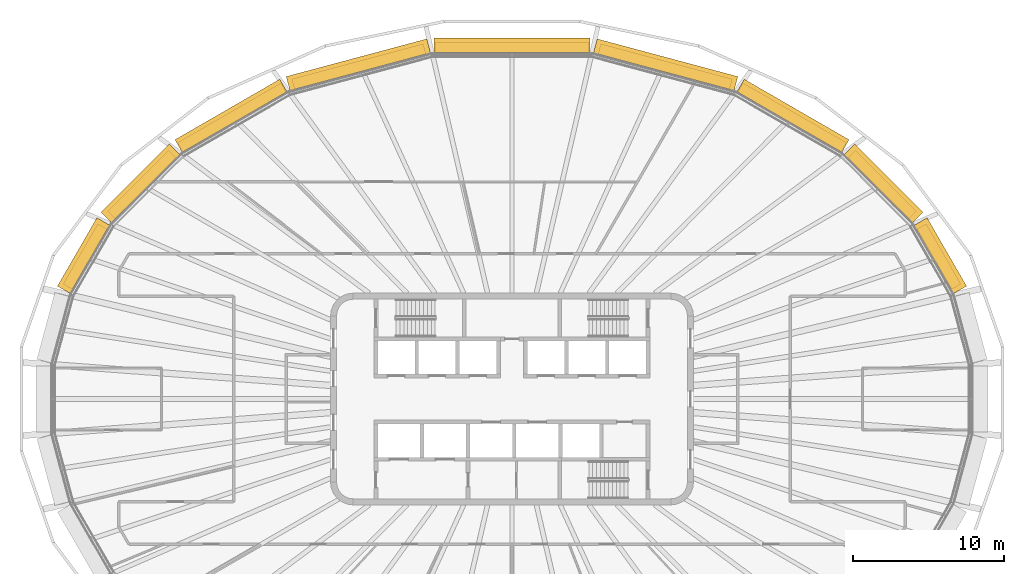
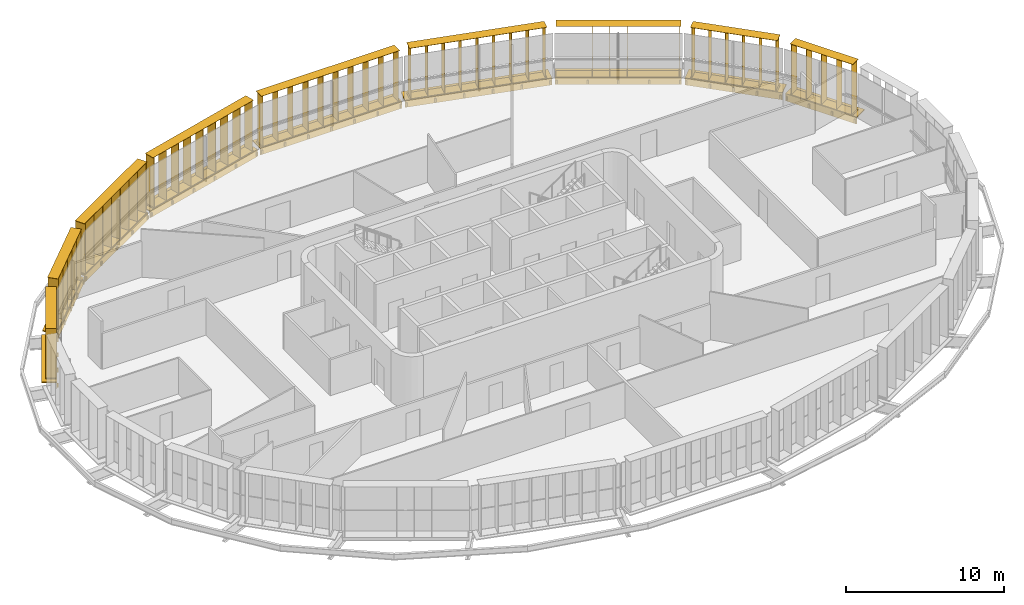
# One storey, part 19 of 19: 18 shading devices.
"""IFC4 building model written with IfcOpenShell, lengths in metres."""

import ifcopenshell
import ifcopenshell.guid

model = None  # the IFC model being written
_history = None  # IfcOwnerHistory: only IFC2X3 demands one
_inside = {}  # id of a spatial element -> (the spatial element, [elements in it])
_under = {}  # id of a project, library or spatial element -> (it, [spatial elements below it])
_declared = {}  # id of a project -> (the project, [libraries it declares])
_typed = {}  # id of a type object -> (the type object, [elements of that type])
_made_of = {}  # id of a material, layer set ... -> (it, [elements and type objects made of it])


def new_model(schema):
    """Start an empty IFC model of exactly this schema.

    Asked for "IFC4X3", IfcOpenShell would pick the latest addendum, in which some entities
    have other attributes; the version numbers below select the first issue.
    IFC2X3 requires an IfcOwnerHistory on every rooted entity: one is made here for all.
    """
    global model, _history
    if schema == "IFC4X3":
        model = ifcopenshell.file(schema_version=(4, 3, 0, 0))
    else:
        model = ifcopenshell.file(schema=schema)
    _inside.clear()
    _under.clear()
    _declared.clear()
    _typed.clear()
    _made_of.clear()
    _history = None
    if model.schema == "IFC2X3":
        org = make("IfcOrganization", Name="unknown")
        user = make(
            "IfcPersonAndOrganization",
            ThePerson=make("IfcPerson", FamilyName="unknown"),
            TheOrganization=org,
        )
        app = make(
            "IfcApplication",
            ApplicationDeveloper=org,
            Version="unknown",
            ApplicationFullName="unknown",
            ApplicationIdentifier="unknown",
        )
        _history = make(
            "IfcOwnerHistory",
            OwningUser=user,
            OwningApplication=app,
            ChangeAction="ADDED",
            CreationDate=0,
        )
    return model


def make(cls, **values):
    """One entity of the class cls with the attributes given. An attribute that is None is left unset."""
    return model.create_entity(
        cls, **{name: value for name, value in values.items() if value is not None}
    )


def rooted(cls, **values):
    """An entity with a GlobalId (a new one), such as an element, a storey or a relation."""
    return make(cls, GlobalId=ifcopenshell.guid.new(), OwnerHistory=_history, **values)


def si_unit(unit_type, name, prefix=None):
    """IfcSIUnit, for example si_unit("LENGTHUNIT", "METRE", prefix="MILLI")."""
    return make("IfcSIUnit", UnitType=unit_type, Prefix=prefix, Name=name)


def assignment(units):
    """IfcUnitAssignment: the units of a project."""
    return None if units is None else make("IfcUnitAssignment", Units=units)


def point(xyz):
    """IfcCartesianPoint."""
    return None if xyz is None else make("IfcCartesianPoint", Coordinates=xyz)


def direction(xyz):
    """IfcDirection."""
    return None if xyz is None else make("IfcDirection", DirectionRatios=xyz)


def frame(location, z_axis=None, x_axis=None):
    """IfcAxis2Placement3D, a coordinate frame: its origin and axes. An axis left out is left unset."""
    return make(
        "IfcAxis2Placement3D",
        Location=point(location),
        Axis=direction(z_axis),
        RefDirection=direction(x_axis),
    )


def frame_2d(location, x_axis=None):
    """IfcAxis2Placement2D, a coordinate frame in the plane: its origin and x axis."""
    return make(
        "IfcAxis2Placement2D", Location=point(location), RefDirection=direction(x_axis)
    )


def origin():
    """The frame at (0, 0, 0) with its axes left unset."""
    return frame((0.0, 0.0, 0.0))


def origin_2d():
    """The frame at (0, 0) in the plane with its x axis left unset."""
    return frame_2d((0.0, 0.0))


def place(relative_to, where):
    """IfcLocalPlacement: puts the frame where relative to a parent placement (None: the world)."""
    return make(
        "IfcLocalPlacement", PlacementRelTo=relative_to, RelativePlacement=where
    )


def context(
    kind, dimensions, precision=None, world=None, true_north=None, identifier=None
):
    """IfcGeometricRepresentationContext, for example the 3D "Model" context."""
    return make(
        "IfcGeometricRepresentationContext",
        ContextIdentifier=identifier,
        ContextType=kind,
        CoordinateSpaceDimension=dimensions,
        Precision=precision,
        WorldCoordinateSystem=world,
        TrueNorth=true_north,
    )


def subcontext(parent, identifier, kind, view, scale=None):
    """IfcGeometricRepresentationSubContext, for example "Body" below "Model"."""
    return make(
        "IfcGeometricRepresentationSubContext",
        ContextIdentifier=identifier,
        ContextType=kind,
        ParentContext=parent,
        TargetScale=scale,
        TargetView=view,
    )


def project(units=None, contexts=None):
    """IfcProject with its units and contexts."""
    return rooted(
        "IfcProject",
        Name="project",
        RepresentationContexts=contexts,
        UnitsInContext=assignment(units),
    )


def spatial(cls, under=None, at=None, **own):
    """A site, building, storey or space (cls), placed at a placement, below another one or the project."""
    s = rooted(cls, ObjectPlacement=at, **own)
    if under is not None:
        _under.setdefault(under.id(), (under, []))[1].append(s)
    return s


def profile(cls, at=None, kind="AREA", **sizes):
    """A parametric profile (cls). Its sizes go by their IFC names, for example OverallWidth=200.0."""
    return make(cls, ProfileType=kind, Position=at, **sizes)


def rectangle(**sizes):
    """IfcRectangleProfileDef."""
    return profile("IfcRectangleProfileDef", **sizes)


def extrude(swept, where, along, depth):
    """IfcExtrudedAreaSolid: the profile swept, set in the frame where, extruded along a direction by depth."""
    return make(
        "IfcExtrudedAreaSolid",
        SweptArea=swept,
        Position=where,
        ExtrudedDirection=direction(along),
        Depth=depth,
    )


def shape(context_of_items, identifier, shape_type, items):
    """IfcShapeRepresentation: the items that make up one representation, for example the "Body"."""
    return make(
        "IfcShapeRepresentation",
        ContextOfItems=context_of_items,
        RepresentationIdentifier=identifier,
        RepresentationType=shape_type,
        Items=items,
    )


def material(Name=None, Category=None):
    """IfcMaterial."""
    return make("IfcMaterial", Name=Name, Category=Category)


def made_of(thing, what):
    """Note that an element or type object is made of a material, layer set ...; save() writes the relation."""
    if what is not None:
        _made_of.setdefault(what.id(), (what, []))[1].append(thing)
    return thing


def type_object(cls, material=None, **own):
    """A type object (cls), such as IfcWallType, which elements share."""
    return made_of(rooted(cls, **own), material)


def element(
    cls,
    number,
    at=None,
    inside=None,
    cuts=None,
    type_object=None,
    material=None,
    context=None,
    identifier="Body",
    shape_type=None,
    held_by="IfcProductDefinitionShape",
    body=None,
    shapes=None,
    **own,
):
    """One element of the class cls, such as IfcWall. Its Tag is "e" and its number.

    at: its placement. inside: the storey or other place that contains it. cuts: it is an
    opening in that element (IfcRelVoidsElement). A single representation is given by context,
    identifier, shape_type and body (its items); several are given by shapes. held_by: the class
    of the entity that holds the representations. save() writes the other relations.
    """
    e = rooted(cls, Tag="e%d" % number, ObjectPlacement=at, **own)
    if body is not None:
        shapes = [shape(context, identifier, shape_type, body)]
    if shapes is not None:
        e.Representation = make(held_by, Representations=shapes)
    if inside is not None:
        _inside.setdefault(inside.id(), (inside, []))[1].append(e)
    if cuts is not None:
        rooted(
            "IfcRelVoidsElement", RelatingBuildingElement=cuts, RelatedOpeningElement=e
        )
    if type_object is not None:
        _typed.setdefault(type_object.id(), (type_object, []))[1].append(e)
    return made_of(e, material)


def aggregate(whole, parts):
    """IfcRelAggregates: a whole, such as a stair, and the parts it consists of."""
    return rooted("IfcRelAggregates", RelatingObject=whole, RelatedObjects=parts)


def save(model, path):
    """Write the relations noted so far, then the file.

    IfcRelAggregates (storeys below a building ...), IfcRelContainedInSpatialStructure (elements
    in a storey), IfcRelDefinesByType, IfcRelAssociatesMaterial and IfcRelDeclares: one each for
    every whole, place, type object, material and project.
    """
    for whole, parts in _under.values():
        aggregate(whole, parts)
    for where, things in _inside.values():
        rooted(
            "IfcRelContainedInSpatialStructure",
            RelatedElements=things,
            RelatingStructure=where,
        )
    for kind, things in _typed.values():
        rooted("IfcRelDefinesByType", RelatedObjects=things, RelatingType=kind)
    for what, things in _made_of.values():
        rooted("IfcRelAssociatesMaterial", RelatedObjects=things, RelatingMaterial=what)
    for by, libraries in _declared.values():
        rooted("IfcRelDeclares", RelatingContext=by, RelatedDefinitions=libraries)
    model.write(path)


model = new_model("IFC4")

# Units and contexts
model_context = context("Model", 3, precision=1e-05, world=origin(), true_north=direction((0.0, 1.0)))
body_context = subcontext(model_context, "Body", "Model", "MODEL_VIEW")
ifc_project = project(units=[si_unit("LENGTHUNIT", "METRE"), si_unit("AREAUNIT", "SQUARE_METRE"), si_unit("VOLUMEUNIT", "CUBIC_METRE"), si_unit("PLANEANGLEUNIT", "RADIAN"), si_unit("MASSUNIT", "GRAM", prefix="KILO")], contexts=[model_context])

# Site, building, storey
site_placement = place(None, origin())
site = spatial("IfcSite", under=ifc_project, at=site_placement, CompositionType="ELEMENT")
building_placement = place(site_placement, origin())
building = spatial("IfcBuilding", under=site, at=building_placement, Name="Sahrelin Media Tower", CompositionType="ELEMENT")
storey_placement = place(building_placement, frame((0.0, 0.0, 241.60009765625)))
storey = spatial("IfcBuildingStorey", under=building, at=storey_placement, Name="L52", CompositionType="ELEMENT", Elevation=241.60009765625)

# Shading devices
ifc_material = material(Name="Champagne anodised aluminium 6063-T6", Category="aluminium")
shading_device_type_1 = type_object("IfcShadingDeviceType", Name="Fin cassette", PredefinedType="USERDEFINED", material=ifc_material)
placement_1 = place(storey_placement, frame((27.865234375, 9.214111328125, 0.0), z_axis=(0.0, 0.0, 1.0), x_axis=(0.500011000363, -0.866019052629, 0.0)))
element("IfcShadingDevice", 1, at=placement_1, inside=storey, type_object=shading_device_type_1, Name="L52:FIN:L52-02", ObjectType="FIN", PredefinedType="USERDEFINED", context=body_context, shape_type="SweptSolid", body=[
    extrude(rectangle(XDim=4.60009765625, YDim=0.699951171875, at=origin_2d()), frame((0.0, 0.419921875, 0.0)), (0.0, 0.0, 1.0), 0.02001953125),
    extrude(rectangle(XDim=4.60009765625, YDim=0.699951171875, at=origin_2d()), frame((0.0, 0.419921875, 3.89990234375)), (0.0, 0.0, 1.0), 0.02001953125),
    extrude(rectangle(XDim=0.02001953125, YDim=0.699951171875, at=origin_2d()), frame((-2.199951171875, 0.419921875, 0.010009765625), z_axis=(0.0, 0.0, 1.0), x_axis=(1.0, 0.0, 0.0)), (0.0, 0.0, 1.0), 3.89990234375),
    extrude(rectangle(XDim=0.02001953125, YDim=0.699951171875, at=origin_2d()), frame((-1.10009765625, 0.419921875, 0.010009765625), z_axis=(0.0, 0.0, 1.0), x_axis=(1.0, 0.0, 0.0)), (0.0, 0.0, 1.0), 3.89990234375),
    extrude(rectangle(XDim=0.02001953125, YDim=0.699951171875, at=origin_2d()), frame((0.0, 0.419921875, 0.010009765625), z_axis=(0.0, 0.0, 1.0), x_axis=(1.0, 0.0, 0.0)), (0.0, 0.0, 1.0), 3.89990234375),
    extrude(rectangle(XDim=0.02001953125, YDim=0.699951171875, at=origin_2d()), frame((1.10009765625, 0.419921875, 0.010009765625), z_axis=(0.0, 0.0, 1.0), x_axis=(1.0, 0.0, 0.0)), (0.0, 0.0, 1.0), 3.89990234375),
    extrude(rectangle(XDim=0.02001953125, YDim=0.699951171875, at=origin_2d()), frame((2.199951171875, 0.419921875, 0.010009765625), z_axis=(0.0, 0.0, 1.0), x_axis=(1.0, 0.0, 0.0)), (0.0, 0.0, 1.0), 3.89990234375),
])
placement_2 = place(storey_placement, frame((24.1865234375, 13.883544921875, 0.0), z_axis=(0.0, 0.0, 1.0), x_axis=(0.707106781187, -0.707106781187, 0.0)))
element("IfcShadingDevice", 2, at=placement_2, inside=storey, type_object=shading_device_type_1, Name="L52:FIN:L52-03", ObjectType="FIN", PredefinedType="USERDEFINED", context=body_context, shape_type="SweptSolid", body=[
    extrude(rectangle(XDim=5.699951171875, YDim=0.699951171875, at=origin_2d()), frame((0.0, 0.419921875, 0.0)), (0.0, 0.0, 1.0), 0.02001953125),
    extrude(rectangle(XDim=5.699951171875, YDim=0.699951171875, at=origin_2d()), frame((0.0, 0.419921875, 3.89990234375)), (0.0, 0.0, 1.0), 0.02001953125),
    extrude(rectangle(XDim=0.02001953125, YDim=0.699951171875, at=origin_2d()), frame((-2.75, 0.419921875, 0.010009765625), z_axis=(0.0, 0.0, 1.0), x_axis=(1.0, 0.0, 0.0)), (0.0, 0.0, 1.0), 3.89990234375),
    extrude(rectangle(XDim=0.02001953125, YDim=0.699951171875, at=origin_2d()), frame((-1.64990234375, 0.419921875, 0.010009765625), z_axis=(0.0, 0.0, 1.0), x_axis=(1.0, 0.0, 0.0)), (0.0, 0.0, 1.0), 3.89990234375),
    extrude(rectangle(XDim=0.02001953125, YDim=0.699951171875, at=origin_2d()), frame((-0.550048828125, 0.419921875, 0.010009765625), z_axis=(0.0, 0.0, 1.0), x_axis=(1.0, 0.0, 0.0)), (0.0, 0.0, 1.0), 3.89990234375),
    extrude(rectangle(XDim=0.02001953125, YDim=0.699951171875, at=origin_2d()), frame((0.550048828125, 0.419921875, 0.010009765625), z_axis=(0.0, 0.0, 1.0), x_axis=(1.0, 0.0, 0.0)), (0.0, 0.0, 1.0), 3.89990234375),
    extrude(rectangle(XDim=0.02001953125, YDim=0.699951171875, at=origin_2d()), frame((1.64990234375, 0.419921875, 0.010009765625), z_axis=(0.0, 0.0, 1.0), x_axis=(1.0, 0.0, 0.0)), (0.0, 0.0, 1.0), 3.89990234375),
    extrude(rectangle(XDim=0.02001953125, YDim=0.699951171875, at=origin_2d()), frame((2.75, 0.419921875, 0.010009765625), z_axis=(0.0, 0.0, 1.0), x_axis=(1.0, 0.0, 0.0)), (0.0, 0.0, 1.0), 3.89990234375),
])
placement_3 = place(storey_placement, frame((18.3115234375, 18.25830078125, 0.0), z_axis=(0.0, 0.0, 1.0), x_axis=(0.866019052629, -0.500011000363, 0.0)))
element("IfcShadingDevice", 3, at=placement_3, inside=storey, type_object=shading_device_type_1, Name="L52:FIN:L52-04", ObjectType="FIN", PredefinedType="USERDEFINED", context=body_context, shape_type="SweptSolid", body=[
    extrude(rectangle(XDim=7.89990234375, YDim=0.699951171875, at=origin_2d()), frame((0.0, 0.419921875, 0.0)), (0.0, 0.0, 1.0), 0.02001953125),
    extrude(rectangle(XDim=7.89990234375, YDim=0.699951171875, at=origin_2d()), frame((0.0, 0.419921875, 3.89990234375)), (0.0, 0.0, 1.0), 0.02001953125),
    extrude(rectangle(XDim=0.02001953125, YDim=0.699951171875, at=origin_2d()), frame((-3.85009765625, 0.419921875, 0.010009765625), z_axis=(0.0, 0.0, 1.0), x_axis=(1.0, 0.0, 0.0)), (0.0, 0.0, 1.0), 3.89990234375),
    extrude(rectangle(XDim=0.02001953125, YDim=0.699951171875, at=origin_2d()), frame((-2.75, 0.419921875, 0.010009765625), z_axis=(0.0, 0.0, 1.0), x_axis=(1.0, 0.0, 0.0)), (0.0, 0.0, 1.0), 3.89990234375),
    extrude(rectangle(XDim=0.02001953125, YDim=0.699951171875, at=origin_2d()), frame((-1.64990234375, 0.419921875, 0.010009765625), z_axis=(0.0, 0.0, 1.0), x_axis=(1.0, 0.0, 0.0)), (0.0, 0.0, 1.0), 3.89990234375),
    extrude(rectangle(XDim=0.02001953125, YDim=0.699951171875, at=origin_2d()), frame((-0.550048828125, 0.419921875, 0.010009765625), z_axis=(0.0, 0.0, 1.0), x_axis=(1.0, 0.0, 0.0)), (0.0, 0.0, 1.0), 3.89990234375),
    extrude(rectangle(XDim=0.02001953125, YDim=0.699951171875, at=origin_2d()), frame((0.550048828125, 0.419921875, 0.010009765625), z_axis=(0.0, 0.0, 1.0), x_axis=(1.0, 0.0, 0.0)), (0.0, 0.0, 1.0), 3.89990234375),
    extrude(rectangle(XDim=0.02001953125, YDim=0.699951171875, at=origin_2d()), frame((1.64990234375, 0.419921875, 0.010009765625), z_axis=(0.0, 0.0, 1.0), x_axis=(1.0, 0.0, 0.0)), (0.0, 0.0, 1.0), 3.89990234375),
    extrude(rectangle(XDim=0.02001953125, YDim=0.699951171875, at=origin_2d()), frame((2.75, 0.419921875, 0.010009765625), z_axis=(0.0, 0.0, 1.0), x_axis=(1.0, 0.0, 0.0)), (0.0, 0.0, 1.0), 3.89990234375),
    extrude(rectangle(XDim=0.02001953125, YDim=0.699951171875, at=origin_2d()), frame((3.85009765625, 0.419921875, 0.010009765625), z_axis=(0.0, 0.0, 1.0), x_axis=(1.0, 0.0, 0.0)), (0.0, 0.0, 1.0), 3.89990234375),
])
placement_4 = place(storey_placement, frame((10.017578125, 21.57861328125, 0.0), z_axis=(0.0, 0.0, 1.0), x_axis=(0.965928857556, -0.258807731996, 0.0)))
element("IfcShadingDevice", 4, at=placement_4, inside=storey, type_object=shading_device_type_1, Name="L52:FIN:L52-05", ObjectType="FIN", PredefinedType="USERDEFINED", context=body_context, shape_type="SweptSolid", body=[
    extrude(rectangle(XDim=9.0, YDim=0.699951171875, at=origin_2d()), frame((0.0, 0.419921875, 0.0)), (0.0, 0.0, 1.0), 0.02001953125),
    extrude(rectangle(XDim=9.0, YDim=0.699951171875, at=origin_2d()), frame((0.0, 0.419921875, 3.89990234375)), (0.0, 0.0, 1.0), 0.02001953125),
    extrude(rectangle(XDim=0.02001953125, YDim=0.699951171875, at=origin_2d()), frame((-4.39990234375, 0.419921875, 0.010009765625), z_axis=(0.0, 0.0, 1.0), x_axis=(1.0, 0.0, 0.0)), (0.0, 0.0, 1.0), 3.89990234375),
    extrude(rectangle(XDim=0.02001953125, YDim=0.699951171875, at=origin_2d()), frame((-3.300048828125, 0.419921875, 0.010009765625), z_axis=(0.0, 0.0, 1.0), x_axis=(1.0, 0.0, 0.0)), (0.0, 0.0, 1.0), 3.89990234375),
    extrude(rectangle(XDim=0.02001953125, YDim=0.699951171875, at=origin_2d()), frame((-2.199951171875, 0.419921875, 0.010009765625), z_axis=(0.0, 0.0, 1.0), x_axis=(1.0, 0.0, 0.0)), (0.0, 0.0, 1.0), 3.89990234375),
    extrude(rectangle(XDim=0.02001953125, YDim=0.699951171875, at=origin_2d()), frame((-1.10009765625, 0.419921875, 0.010009765625), z_axis=(0.0, 0.0, 1.0), x_axis=(1.0, 0.0, 0.0)), (0.0, 0.0, 1.0), 3.89990234375),
    extrude(rectangle(XDim=0.02001953125, YDim=0.699951171875, at=origin_2d()), frame((0.0, 0.419921875, 0.010009765625), z_axis=(0.0, 0.0, 1.0), x_axis=(1.0, 0.0, 0.0)), (0.0, 0.0, 1.0), 3.89990234375),
    extrude(rectangle(XDim=0.02001953125, YDim=0.699951171875, at=origin_2d()), frame((1.10009765625, 0.419921875, 0.010009765625), z_axis=(0.0, 0.0, 1.0), x_axis=(1.0, 0.0, 0.0)), (0.0, 0.0, 1.0), 3.89990234375),
    extrude(rectangle(XDim=0.02001953125, YDim=0.699951171875, at=origin_2d()), frame((2.199951171875, 0.419921875, 0.010009765625), z_axis=(0.0, 0.0, 1.0), x_axis=(1.0, 0.0, 0.0)), (0.0, 0.0, 1.0), 3.89990234375),
    extrude(rectangle(XDim=0.02001953125, YDim=0.699951171875, at=origin_2d()), frame((3.300048828125, 0.419921875, 0.010009765625), z_axis=(0.0, 0.0, 1.0), x_axis=(1.0, 0.0, 0.0)), (0.0, 0.0, 1.0), 3.89990234375),
    extrude(rectangle(XDim=0.02001953125, YDim=0.699951171875, at=origin_2d()), frame((4.39990234375, 0.419921875, 0.010009765625), z_axis=(0.0, 0.0, 1.0), x_axis=(1.0, 0.0, 0.0)), (0.0, 0.0, 1.0), 3.89990234375),
])
placement_5 = place(storey_placement, frame((0.0, 22.85009765625, 0.0), z_axis=(0.0, 0.0, 1.0), x_axis=(1.0, 0.0, 0.0)))
element("IfcShadingDevice", 5, at=placement_5, inside=storey, type_object=shading_device_type_1, Name="L52:FIN:L52-06", ObjectType="FIN", PredefinedType="USERDEFINED", context=body_context, shape_type="SweptSolid", body=[
    extrude(rectangle(XDim=10.10009765625, YDim=0.699951171875, at=origin_2d()), frame((0.0, 0.419921875, 0.0)), (0.0, 0.0, 1.0), 0.02001953125),
    extrude(rectangle(XDim=10.10009765625, YDim=0.699951171875, at=origin_2d()), frame((0.0, 0.419921875, 3.89990234375)), (0.0, 0.0, 1.0), 0.02001953125),
    extrude(rectangle(XDim=0.02001953125, YDim=0.699951171875, at=origin_2d()), frame((-4.949951171875, 0.419921875, 0.010009765625), z_axis=(0.0, 0.0, 1.0), x_axis=(1.0, 0.0, 0.0)), (0.0, 0.0, 1.0), 3.89990234375),
    extrude(rectangle(XDim=0.02001953125, YDim=0.699951171875, at=origin_2d()), frame((-3.85009765625, 0.419921875, 0.010009765625), z_axis=(0.0, 0.0, 1.0), x_axis=(1.0, 0.0, 0.0)), (0.0, 0.0, 1.0), 3.89990234375),
    extrude(rectangle(XDim=0.02001953125, YDim=0.699951171875, at=origin_2d()), frame((-2.75, 0.419921875, 0.010009765625), z_axis=(0.0, 0.0, 1.0), x_axis=(1.0, 0.0, 0.0)), (0.0, 0.0, 1.0), 3.89990234375),
    extrude(rectangle(XDim=0.02001953125, YDim=0.699951171875, at=origin_2d()), frame((-1.64990234375, 0.419921875, 0.010009765625), z_axis=(0.0, 0.0, 1.0), x_axis=(1.0, 0.0, 0.0)), (0.0, 0.0, 1.0), 3.89990234375),
    extrude(rectangle(XDim=0.02001953125, YDim=0.699951171875, at=origin_2d()), frame((-0.550048828125, 0.419921875, 0.010009765625), z_axis=(0.0, 0.0, 1.0), x_axis=(1.0, 0.0, 0.0)), (0.0, 0.0, 1.0), 3.89990234375),
    extrude(rectangle(XDim=0.02001953125, YDim=0.699951171875, at=origin_2d()), frame((0.550048828125, 0.419921875, 0.010009765625), z_axis=(0.0, 0.0, 1.0), x_axis=(1.0, 0.0, 0.0)), (0.0, 0.0, 1.0), 3.89990234375),
    extrude(rectangle(XDim=0.02001953125, YDim=0.699951171875, at=origin_2d()), frame((1.64990234375, 0.419921875, 0.010009765625), z_axis=(0.0, 0.0, 1.0), x_axis=(1.0, 0.0, 0.0)), (0.0, 0.0, 1.0), 3.89990234375),
    extrude(rectangle(XDim=0.02001953125, YDim=0.699951171875, at=origin_2d()), frame((2.75, 0.419921875, 0.010009765625), z_axis=(0.0, 0.0, 1.0), x_axis=(1.0, 0.0, 0.0)), (0.0, 0.0, 1.0), 3.89990234375),
    extrude(rectangle(XDim=0.02001953125, YDim=0.699951171875, at=origin_2d()), frame((3.85009765625, 0.419921875, 0.010009765625), z_axis=(0.0, 0.0, 1.0), x_axis=(1.0, 0.0, 0.0)), (0.0, 0.0, 1.0), 3.89990234375),
    extrude(rectangle(XDim=0.02001953125, YDim=0.699951171875, at=origin_2d()), frame((4.949951171875, 0.419921875, 0.010009765625), z_axis=(0.0, 0.0, 1.0), x_axis=(1.0, 0.0, 0.0)), (0.0, 0.0, 1.0), 3.89990234375),
])
placement_6 = place(storey_placement, frame((-10.017578125, 21.578857421875, 0.0), z_axis=(0.0, 0.0, 1.0), x_axis=(0.965928857556, 0.258807731996, 0.0)))
element("IfcShadingDevice", 6, at=placement_6, inside=storey, type_object=shading_device_type_1, Name="L52:FIN:L52-07", ObjectType="FIN", PredefinedType="USERDEFINED", context=body_context, shape_type="SweptSolid", body=[
    extrude(rectangle(XDim=9.0, YDim=0.699951171875, at=origin_2d()), frame((0.0, 0.419921875, 0.0)), (0.0, 0.0, 1.0), 0.02001953125),
    extrude(rectangle(XDim=9.0, YDim=0.699951171875, at=origin_2d()), frame((0.0, 0.419921875, 3.89990234375)), (0.0, 0.0, 1.0), 0.02001953125),
    extrude(rectangle(XDim=0.02001953125, YDim=0.699951171875, at=origin_2d()), frame((-4.39990234375, 0.419921875, 0.010009765625), z_axis=(0.0, 0.0, 1.0), x_axis=(1.0, 0.0, 0.0)), (0.0, 0.0, 1.0), 3.89990234375),
    extrude(rectangle(XDim=0.02001953125, YDim=0.699951171875, at=origin_2d()), frame((-3.300048828125, 0.419921875, 0.010009765625), z_axis=(0.0, 0.0, 1.0), x_axis=(1.0, 0.0, 0.0)), (0.0, 0.0, 1.0), 3.89990234375),
    extrude(rectangle(XDim=0.02001953125, YDim=0.699951171875, at=origin_2d()), frame((-2.199951171875, 0.419921875, 0.010009765625), z_axis=(0.0, 0.0, 1.0), x_axis=(1.0, 0.0, 0.0)), (0.0, 0.0, 1.0), 3.89990234375),
    extrude(rectangle(XDim=0.02001953125, YDim=0.699951171875, at=origin_2d()), frame((-1.10009765625, 0.419921875, 0.010009765625), z_axis=(0.0, 0.0, 1.0), x_axis=(1.0, 0.0, 0.0)), (0.0, 0.0, 1.0), 3.89990234375),
    extrude(rectangle(XDim=0.02001953125, YDim=0.699951171875, at=origin_2d()), frame((0.0, 0.419921875, 0.010009765625), z_axis=(0.0, 0.0, 1.0), x_axis=(1.0, 0.0, 0.0)), (0.0, 0.0, 1.0), 3.89990234375),
    extrude(rectangle(XDim=0.02001953125, YDim=0.699951171875, at=origin_2d()), frame((1.10009765625, 0.419921875, 0.010009765625), z_axis=(0.0, 0.0, 1.0), x_axis=(1.0, 0.0, 0.0)), (0.0, 0.0, 1.0), 3.89990234375),
    extrude(rectangle(XDim=0.02001953125, YDim=0.699951171875, at=origin_2d()), frame((2.199951171875, 0.419921875, 0.010009765625), z_axis=(0.0, 0.0, 1.0), x_axis=(1.0, 0.0, 0.0)), (0.0, 0.0, 1.0), 3.89990234375),
    extrude(rectangle(XDim=0.02001953125, YDim=0.699951171875, at=origin_2d()), frame((3.300048828125, 0.419921875, 0.010009765625), z_axis=(0.0, 0.0, 1.0), x_axis=(1.0, 0.0, 0.0)), (0.0, 0.0, 1.0), 3.89990234375),
    extrude(rectangle(XDim=0.02001953125, YDim=0.699951171875, at=origin_2d()), frame((4.39990234375, 0.419921875, 0.010009765625), z_axis=(0.0, 0.0, 1.0), x_axis=(1.0, 0.0, 0.0)), (0.0, 0.0, 1.0), 3.89990234375),
])
placement_7 = place(storey_placement, frame((-18.3115234375, 18.258056640625, 0.0), z_axis=(0.0, 0.0, 1.0), x_axis=(0.866019052629, 0.500011000363, 0.0)))
element("IfcShadingDevice", 7, at=placement_7, inside=storey, type_object=shading_device_type_1, Name="L52:FIN:L52-08", ObjectType="FIN", PredefinedType="USERDEFINED", context=body_context, shape_type="SweptSolid", body=[
    extrude(rectangle(XDim=7.89990234375, YDim=0.699951171875, at=origin_2d()), frame((0.0, 0.419921875, 0.0)), (0.0, 0.0, 1.0), 0.02001953125),
    extrude(rectangle(XDim=7.89990234375, YDim=0.699951171875, at=origin_2d()), frame((0.0, 0.419921875, 3.89990234375)), (0.0, 0.0, 1.0), 0.02001953125),
    extrude(rectangle(XDim=0.02001953125, YDim=0.699951171875, at=origin_2d()), frame((-3.85009765625, 0.419921875, 0.010009765625), z_axis=(0.0, 0.0, 1.0), x_axis=(1.0, 0.0, 0.0)), (0.0, 0.0, 1.0), 3.89990234375),
    extrude(rectangle(XDim=0.02001953125, YDim=0.699951171875, at=origin_2d()), frame((-2.75, 0.419921875, 0.010009765625), z_axis=(0.0, 0.0, 1.0), x_axis=(1.0, 0.0, 0.0)), (0.0, 0.0, 1.0), 3.89990234375),
    extrude(rectangle(XDim=0.02001953125, YDim=0.699951171875, at=origin_2d()), frame((-1.64990234375, 0.419921875, 0.010009765625), z_axis=(0.0, 0.0, 1.0), x_axis=(1.0, 0.0, 0.0)), (0.0, 0.0, 1.0), 3.89990234375),
    extrude(rectangle(XDim=0.02001953125, YDim=0.699951171875, at=origin_2d()), frame((-0.550048828125, 0.419921875, 0.010009765625), z_axis=(0.0, 0.0, 1.0), x_axis=(1.0, 0.0, 0.0)), (0.0, 0.0, 1.0), 3.89990234375),
    extrude(rectangle(XDim=0.02001953125, YDim=0.699951171875, at=origin_2d()), frame((0.550048828125, 0.419921875, 0.010009765625), z_axis=(0.0, 0.0, 1.0), x_axis=(1.0, 0.0, 0.0)), (0.0, 0.0, 1.0), 3.89990234375),
    extrude(rectangle(XDim=0.02001953125, YDim=0.699951171875, at=origin_2d()), frame((1.64990234375, 0.419921875, 0.010009765625), z_axis=(0.0, 0.0, 1.0), x_axis=(1.0, 0.0, 0.0)), (0.0, 0.0, 1.0), 3.89990234375),
    extrude(rectangle(XDim=0.02001953125, YDim=0.699951171875, at=origin_2d()), frame((2.75, 0.419921875, 0.010009765625), z_axis=(0.0, 0.0, 1.0), x_axis=(1.0, 0.0, 0.0)), (0.0, 0.0, 1.0), 3.89990234375),
    extrude(rectangle(XDim=0.02001953125, YDim=0.699951171875, at=origin_2d()), frame((3.85009765625, 0.419921875, 0.010009765625), z_axis=(0.0, 0.0, 1.0), x_axis=(1.0, 0.0, 0.0)), (0.0, 0.0, 1.0), 3.89990234375),
])
placement_8 = place(storey_placement, frame((-24.1865234375, 13.88330078125, 0.0), z_axis=(0.0, 0.0, 1.0), x_axis=(0.707106781187, 0.707106781187, 0.0)))
element("IfcShadingDevice", 8, at=placement_8, inside=storey, type_object=shading_device_type_1, Name="L52:FIN:L52-09", ObjectType="FIN", PredefinedType="USERDEFINED", context=body_context, shape_type="SweptSolid", body=[
    extrude(rectangle(XDim=5.699951171875, YDim=0.699951171875, at=origin_2d()), frame((0.0, 0.419921875, 0.0)), (0.0, 0.0, 1.0), 0.02001953125),
    extrude(rectangle(XDim=5.699951171875, YDim=0.699951171875, at=origin_2d()), frame((0.0, 0.419921875, 3.89990234375)), (0.0, 0.0, 1.0), 0.02001953125),
    extrude(rectangle(XDim=0.02001953125, YDim=0.699951171875, at=origin_2d()), frame((-2.75, 0.419921875, 0.010009765625), z_axis=(0.0, 0.0, 1.0), x_axis=(1.0, 0.0, 0.0)), (0.0, 0.0, 1.0), 3.89990234375),
    extrude(rectangle(XDim=0.02001953125, YDim=0.699951171875, at=origin_2d()), frame((-1.64990234375, 0.419921875, 0.010009765625), z_axis=(0.0, 0.0, 1.0), x_axis=(1.0, 0.0, 0.0)), (0.0, 0.0, 1.0), 3.89990234375),
    extrude(rectangle(XDim=0.02001953125, YDim=0.699951171875, at=origin_2d()), frame((-0.550048828125, 0.419921875, 0.010009765625), z_axis=(0.0, 0.0, 1.0), x_axis=(1.0, 0.0, 0.0)), (0.0, 0.0, 1.0), 3.89990234375),
    extrude(rectangle(XDim=0.02001953125, YDim=0.699951171875, at=origin_2d()), frame((0.550048828125, 0.419921875, 0.010009765625), z_axis=(0.0, 0.0, 1.0), x_axis=(1.0, 0.0, 0.0)), (0.0, 0.0, 1.0), 3.89990234375),
    extrude(rectangle(XDim=0.02001953125, YDim=0.699951171875, at=origin_2d()), frame((1.64990234375, 0.419921875, 0.010009765625), z_axis=(0.0, 0.0, 1.0), x_axis=(1.0, 0.0, 0.0)), (0.0, 0.0, 1.0), 3.89990234375),
    extrude(rectangle(XDim=0.02001953125, YDim=0.699951171875, at=origin_2d()), frame((2.75, 0.419921875, 0.010009765625), z_axis=(0.0, 0.0, 1.0), x_axis=(1.0, 0.0, 0.0)), (0.0, 0.0, 1.0), 3.89990234375),
])
placement_9 = place(storey_placement, frame((-27.865234375, 9.214111328125, 0.0), z_axis=(0.0, 0.0, 1.0), x_axis=(0.500011000363, 0.866019052629, 0.0)))
element("IfcShadingDevice", 9, at=placement_9, inside=storey, type_object=shading_device_type_1, Name="L52:FIN:L52-10", ObjectType="FIN", PredefinedType="USERDEFINED", context=body_context, shape_type="SweptSolid", body=[
    extrude(rectangle(XDim=4.60009765625, YDim=0.699951171875, at=origin_2d()), frame((0.0, 0.419921875, 0.0)), (0.0, 0.0, 1.0), 0.02001953125),
    extrude(rectangle(XDim=4.60009765625, YDim=0.699951171875, at=origin_2d()), frame((0.0, 0.419921875, 3.89990234375)), (0.0, 0.0, 1.0), 0.02001953125),
    extrude(rectangle(XDim=0.02001953125, YDim=0.699951171875, at=origin_2d()), frame((-2.199951171875, 0.419921875, 0.010009765625), z_axis=(0.0, 0.0, 1.0), x_axis=(1.0, 0.0, 0.0)), (0.0, 0.0, 1.0), 3.89990234375),
    extrude(rectangle(XDim=0.02001953125, YDim=0.699951171875, at=origin_2d()), frame((-1.10009765625, 0.419921875, 0.010009765625), z_axis=(0.0, 0.0, 1.0), x_axis=(1.0, 0.0, 0.0)), (0.0, 0.0, 1.0), 3.89990234375),
    extrude(rectangle(XDim=0.02001953125, YDim=0.699951171875, at=origin_2d()), frame((0.0, 0.419921875, 0.010009765625), z_axis=(0.0, 0.0, 1.0), x_axis=(1.0, 0.0, 0.0)), (0.0, 0.0, 1.0), 3.89990234375),
    extrude(rectangle(XDim=0.02001953125, YDim=0.699951171875, at=origin_2d()), frame((1.10009765625, 0.419921875, 0.010009765625), z_axis=(0.0, 0.0, 1.0), x_axis=(1.0, 0.0, 0.0)), (0.0, 0.0, 1.0), 3.89990234375),
    extrude(rectangle(XDim=0.02001953125, YDim=0.699951171875, at=origin_2d()), frame((2.199951171875, 0.419921875, 0.010009765625), z_axis=(0.0, 0.0, 1.0), x_axis=(1.0, 0.0, 0.0)), (0.0, 0.0, 1.0), 3.89990234375),
])
shading_device_type_2 = type_object("IfcShadingDeviceType", Name="Sunshade band", PredefinedType="USERDEFINED", material=ifc_material)
element("IfcShadingDevice", 10, at=placement_1, inside=storey, type_object=shading_device_type_2, Name="L52:SUN:L52-02", ObjectType="SUNSHADE", PredefinedType="USERDEFINED", context=body_context, shape_type="SweptSolid", body=[
    extrude(rectangle(XDim=5.21337890625, YDim=0.050048828125, at=origin_2d()), frame((0.0, 0.044921875, -0.55126953125)), (0.0, 0.0, 1.0), 0.471435546875),
    extrude(rectangle(XDim=5.21337890625, YDim=1.0, at=origin_2d()), frame((0.0, 0.52001953125, -0.080078125)), (0.0, 0.0, 1.0), 0.080078125),
    extrude(rectangle(XDim=0.10009765625, YDim=0.074951171875, at=origin_2d()), frame((-2.5068359375, -0.017578125, -0.47021484375)), (0.0, 0.0, 1.0), 0.300048828125),
    extrude(rectangle(XDim=0.10009765625, YDim=0.074951171875, at=origin_2d()), frame((-0.835693359375, -0.017578125, -0.47021484375)), (0.0, 0.0, 1.0), 0.300048828125),
    extrude(rectangle(XDim=0.10009765625, YDim=0.074951171875, at=origin_2d()), frame((0.835693359375, -0.017578125, -0.47021484375)), (0.0, 0.0, 1.0), 0.300048828125),
    extrude(rectangle(XDim=0.10009765625, YDim=0.074951171875, at=origin_2d()), frame((2.5068359375, -0.017578125, -0.47021484375)), (0.0, 0.0, 1.0), 0.300048828125),
])
element("IfcShadingDevice", 11, at=placement_2, inside=storey, type_object=shading_device_type_2, Name="L52:SUN:L52-03", ObjectType="SUNSHADE", PredefinedType="USERDEFINED", context=body_context, shape_type="SweptSolid", body=[
    extrude(rectangle(XDim=6.377197265625, YDim=0.050048828125, at=origin_2d()), frame((0.0, 0.044921875, -0.55126953125)), (0.0, 0.0, 1.0), 0.471435546875),
    extrude(rectangle(XDim=6.377197265625, YDim=1.0, at=origin_2d()), frame((0.0, 0.52001953125, -0.080078125)), (0.0, 0.0, 1.0), 0.080078125),
    extrude(rectangle(XDim=0.10009765625, YDim=0.074951171875, at=origin_2d()), frame((-3.08837890625, -0.017578125, -0.47021484375)), (0.0, 0.0, 1.0), 0.300048828125),
    extrude(rectangle(XDim=0.10009765625, YDim=0.074951171875, at=origin_2d()), frame((-1.544189453125, -0.017578125, -0.47021484375)), (0.0, 0.0, 1.0), 0.300048828125),
    extrude(rectangle(XDim=0.10009765625, YDim=0.074951171875, at=origin_2d()), frame((0.0, -0.017578125, -0.47021484375)), (0.0, 0.0, 1.0), 0.300048828125),
    extrude(rectangle(XDim=0.10009765625, YDim=0.074951171875, at=origin_2d()), frame((1.544189453125, -0.017578125, -0.47021484375)), (0.0, 0.0, 1.0), 0.300048828125),
    extrude(rectangle(XDim=0.10009765625, YDim=0.074951171875, at=origin_2d()), frame((3.08837890625, -0.017578125, -0.47021484375)), (0.0, 0.0, 1.0), 0.300048828125),
])
element("IfcShadingDevice", 12, at=placement_3, inside=storey, type_object=shading_device_type_2, Name="L52:SUN:L52-04", ObjectType="SUNSHADE", PredefinedType="USERDEFINED", context=body_context, shape_type="SweptSolid", body=[
    extrude(rectangle(XDim=7.997314453125, YDim=0.050048828125, at=origin_2d()), frame((0.0, 0.044921875, -0.55126953125)), (0.0, 0.0, 1.0), 0.471435546875),
    extrude(rectangle(XDim=7.997314453125, YDim=1.0, at=origin_2d()), frame((0.0, 0.52001953125, -0.080078125)), (0.0, 0.0, 1.0), 0.080078125),
    extrude(rectangle(XDim=0.10009765625, YDim=0.074951171875, at=origin_2d()), frame((-3.898681640625, -0.017578125, -0.47021484375)), (0.0, 0.0, 1.0), 0.300048828125),
    extrude(rectangle(XDim=0.10009765625, YDim=0.074951171875, at=origin_2d()), frame((-1.949462890625, -0.017578125, -0.47021484375)), (0.0, 0.0, 1.0), 0.300048828125),
    extrude(rectangle(XDim=0.10009765625, YDim=0.074951171875, at=origin_2d()), frame((0.0, -0.017578125, -0.47021484375)), (0.0, 0.0, 1.0), 0.300048828125),
    extrude(rectangle(XDim=0.10009765625, YDim=0.074951171875, at=origin_2d()), frame((1.949462890625, -0.017578125, -0.47021484375)), (0.0, 0.0, 1.0), 0.300048828125),
    extrude(rectangle(XDim=0.10009765625, YDim=0.074951171875, at=origin_2d()), frame((3.898681640625, -0.017578125, -0.47021484375)), (0.0, 0.0, 1.0), 0.300048828125),
])
element("IfcShadingDevice", 13, at=placement_4, inside=storey, type_object=shading_device_type_2, Name="L52:SUN:L52-05", ObjectType="SUNSHADE", PredefinedType="USERDEFINED", context=body_context, shape_type="SweptSolid", body=[
    extrude(rectangle(XDim=9.623291015625, YDim=0.050048828125, at=origin_2d()), frame((0.0, 0.044921875, -0.55126953125)), (0.0, 0.0, 1.0), 0.471435546875),
    extrude(rectangle(XDim=9.623291015625, YDim=1.0, at=origin_2d()), frame((0.0, 0.52001953125, -0.080078125)), (0.0, 0.0, 1.0), 0.080078125),
    extrude(rectangle(XDim=0.10009765625, YDim=0.074951171875, at=origin_2d()), frame((-4.711669921875, -0.017578125, -0.47021484375)), (0.0, 0.0, 1.0), 0.300048828125),
    extrude(rectangle(XDim=0.10009765625, YDim=0.074951171875, at=origin_2d()), frame((-2.826904296875, -0.017578125, -0.47021484375)), (0.0, 0.0, 1.0), 0.300048828125),
    extrude(rectangle(XDim=0.10009765625, YDim=0.074951171875, at=origin_2d()), frame((-0.9423828125, -0.017578125, -0.47021484375)), (0.0, 0.0, 1.0), 0.300048828125),
    extrude(rectangle(XDim=0.10009765625, YDim=0.074951171875, at=origin_2d()), frame((0.9423828125, -0.017578125, -0.47021484375)), (0.0, 0.0, 1.0), 0.300048828125),
    extrude(rectangle(XDim=0.10009765625, YDim=0.074951171875, at=origin_2d()), frame((2.826904296875, -0.017578125, -0.47021484375)), (0.0, 0.0, 1.0), 0.300048828125),
    extrude(rectangle(XDim=0.10009765625, YDim=0.074951171875, at=origin_2d()), frame((4.711669921875, -0.017578125, -0.47021484375)), (0.0, 0.0, 1.0), 0.300048828125),
])
element("IfcShadingDevice", 14, at=placement_5, inside=storey, type_object=shading_device_type_2, Name="L52:SUN:L52-06", ObjectType="SUNSHADE", PredefinedType="USERDEFINED", context=body_context, shape_type="SweptSolid", body=[
    extrude(rectangle(XDim=10.3466796875, YDim=0.050048828125, at=origin_2d()), frame((0.0, 0.044921875, -0.55126953125)), (0.0, 0.0, 1.0), 0.471435546875),
    extrude(rectangle(XDim=10.3466796875, YDim=1.0, at=origin_2d()), frame((0.0, 0.52001953125, -0.080078125)), (0.0, 0.0, 1.0), 0.080078125),
    extrude(rectangle(XDim=0.10009765625, YDim=0.074951171875, at=origin_2d()), frame((-5.0732421875, -0.017578125, -0.47021484375)), (0.0, 0.0, 1.0), 0.300048828125),
    extrude(rectangle(XDim=0.10009765625, YDim=0.074951171875, at=origin_2d()), frame((-3.382080078125, -0.017578125, -0.47021484375)), (0.0, 0.0, 1.0), 0.300048828125),
    extrude(rectangle(XDim=0.10009765625, YDim=0.074951171875, at=origin_2d()), frame((-1.691162109375, -0.017578125, -0.47021484375)), (0.0, 0.0, 1.0), 0.300048828125),
    extrude(rectangle(XDim=0.10009765625, YDim=0.074951171875, at=origin_2d()), frame((0.0, -0.017578125, -0.47021484375)), (0.0, 0.0, 1.0), 0.300048828125),
    extrude(rectangle(XDim=0.10009765625, YDim=0.074951171875, at=origin_2d()), frame((1.691162109375, -0.017578125, -0.47021484375)), (0.0, 0.0, 1.0), 0.300048828125),
    extrude(rectangle(XDim=0.10009765625, YDim=0.074951171875, at=origin_2d()), frame((3.382080078125, -0.017578125, -0.47021484375)), (0.0, 0.0, 1.0), 0.300048828125),
    extrude(rectangle(XDim=0.10009765625, YDim=0.074951171875, at=origin_2d()), frame((5.0732421875, -0.017578125, -0.47021484375)), (0.0, 0.0, 1.0), 0.300048828125),
])
element("IfcShadingDevice", 15, at=placement_6, inside=storey, type_object=shading_device_type_2, Name="L52:SUN:L52-07", ObjectType="SUNSHADE", PredefinedType="USERDEFINED", context=body_context, shape_type="SweptSolid", body=[
    extrude(rectangle(XDim=9.623291015625, YDim=0.050048828125, at=origin_2d()), frame((0.0, 0.044921875, -0.55126953125)), (0.0, 0.0, 1.0), 0.471435546875),
    extrude(rectangle(XDim=9.623291015625, YDim=1.0, at=origin_2d()), frame((0.0, 0.52001953125, -0.080078125)), (0.0, 0.0, 1.0), 0.080078125),
    extrude(rectangle(XDim=0.10009765625, YDim=0.074951171875, at=origin_2d()), frame((-4.711669921875, -0.017578125, -0.47021484375)), (0.0, 0.0, 1.0), 0.300048828125),
    extrude(rectangle(XDim=0.10009765625, YDim=0.074951171875, at=origin_2d()), frame((-2.826904296875, -0.017578125, -0.47021484375)), (0.0, 0.0, 1.0), 0.300048828125),
    extrude(rectangle(XDim=0.10009765625, YDim=0.074951171875, at=origin_2d()), frame((-0.9423828125, -0.017578125, -0.47021484375)), (0.0, 0.0, 1.0), 0.300048828125),
    extrude(rectangle(XDim=0.10009765625, YDim=0.074951171875, at=origin_2d()), frame((0.9423828125, -0.017578125, -0.47021484375)), (0.0, 0.0, 1.0), 0.300048828125),
    extrude(rectangle(XDim=0.10009765625, YDim=0.074951171875, at=origin_2d()), frame((2.826904296875, -0.017578125, -0.47021484375)), (0.0, 0.0, 1.0), 0.300048828125),
    extrude(rectangle(XDim=0.10009765625, YDim=0.074951171875, at=origin_2d()), frame((4.711669921875, -0.017578125, -0.47021484375)), (0.0, 0.0, 1.0), 0.300048828125),
])
element("IfcShadingDevice", 16, at=placement_7, inside=storey, type_object=shading_device_type_2, Name="L52:SUN:L52-08", ObjectType="SUNSHADE", PredefinedType="USERDEFINED", context=body_context, shape_type="SweptSolid", body=[
    extrude(rectangle(XDim=7.997314453125, YDim=0.050048828125, at=origin_2d()), frame((0.0, 0.044921875, -0.55126953125)), (0.0, 0.0, 1.0), 0.471435546875),
    extrude(rectangle(XDim=7.997314453125, YDim=1.0, at=origin_2d()), frame((0.0, 0.52001953125, -0.080078125)), (0.0, 0.0, 1.0), 0.080078125),
    extrude(rectangle(XDim=0.10009765625, YDim=0.074951171875, at=origin_2d()), frame((-3.898681640625, -0.017578125, -0.47021484375)), (0.0, 0.0, 1.0), 0.300048828125),
    extrude(rectangle(XDim=0.10009765625, YDim=0.074951171875, at=origin_2d()), frame((-1.949462890625, -0.017578125, -0.47021484375)), (0.0, 0.0, 1.0), 0.300048828125),
    extrude(rectangle(XDim=0.10009765625, YDim=0.074951171875, at=origin_2d()), frame((0.0, -0.017578125, -0.47021484375)), (0.0, 0.0, 1.0), 0.300048828125),
    extrude(rectangle(XDim=0.10009765625, YDim=0.074951171875, at=origin_2d()), frame((1.949462890625, -0.017578125, -0.47021484375)), (0.0, 0.0, 1.0), 0.300048828125),
    extrude(rectangle(XDim=0.10009765625, YDim=0.074951171875, at=origin_2d()), frame((3.898681640625, -0.017578125, -0.47021484375)), (0.0, 0.0, 1.0), 0.300048828125),
])
element("IfcShadingDevice", 17, at=placement_8, inside=storey, type_object=shading_device_type_2, Name="L52:SUN:L52-09", ObjectType="SUNSHADE", PredefinedType="USERDEFINED", context=body_context, shape_type="SweptSolid", body=[
    extrude(rectangle(XDim=6.377197265625, YDim=0.050048828125, at=origin_2d()), frame((0.0, 0.044921875, -0.55126953125)), (0.0, 0.0, 1.0), 0.471435546875),
    extrude(rectangle(XDim=6.377197265625, YDim=1.0, at=origin_2d()), frame((0.0, 0.52001953125, -0.080078125)), (0.0, 0.0, 1.0), 0.080078125),
    extrude(rectangle(XDim=0.10009765625, YDim=0.074951171875, at=origin_2d()), frame((-3.08837890625, -0.017578125, -0.47021484375)), (0.0, 0.0, 1.0), 0.300048828125),
    extrude(rectangle(XDim=0.10009765625, YDim=0.074951171875, at=origin_2d()), frame((-1.544189453125, -0.017578125, -0.47021484375)), (0.0, 0.0, 1.0), 0.300048828125),
    extrude(rectangle(XDim=0.10009765625, YDim=0.074951171875, at=origin_2d()), frame((0.0, -0.017578125, -0.47021484375)), (0.0, 0.0, 1.0), 0.300048828125),
    extrude(rectangle(XDim=0.10009765625, YDim=0.074951171875, at=origin_2d()), frame((1.544189453125, -0.017578125, -0.47021484375)), (0.0, 0.0, 1.0), 0.300048828125),
    extrude(rectangle(XDim=0.10009765625, YDim=0.074951171875, at=origin_2d()), frame((3.08837890625, -0.017578125, -0.47021484375)), (0.0, 0.0, 1.0), 0.300048828125),
])
element("IfcShadingDevice", 18, at=placement_9, inside=storey, type_object=shading_device_type_2, Name="L52:SUN:L52-10", ObjectType="SUNSHADE", PredefinedType="USERDEFINED", context=body_context, shape_type="SweptSolid", body=[
    extrude(rectangle(XDim=5.21337890625, YDim=0.050048828125, at=origin_2d()), frame((0.0, 0.044921875, -0.55126953125)), (0.0, 0.0, 1.0), 0.471435546875),
    extrude(rectangle(XDim=5.21337890625, YDim=1.0, at=origin_2d()), frame((0.0, 0.52001953125, -0.080078125)), (0.0, 0.0, 1.0), 0.080078125),
    extrude(rectangle(XDim=0.10009765625, YDim=0.074951171875, at=origin_2d()), frame((-2.5068359375, -0.017578125, -0.47021484375)), (0.0, 0.0, 1.0), 0.300048828125),
    extrude(rectangle(XDim=0.10009765625, YDim=0.074951171875, at=origin_2d()), frame((-0.835693359375, -0.017578125, -0.47021484375)), (0.0, 0.0, 1.0), 0.300048828125),
    extrude(rectangle(XDim=0.10009765625, YDim=0.074951171875, at=origin_2d()), frame((0.835693359375, -0.017578125, -0.47021484375)), (0.0, 0.0, 1.0), 0.300048828125),
    extrude(rectangle(XDim=0.10009765625, YDim=0.074951171875, at=origin_2d()), frame((2.5068359375, -0.017578125, -0.47021484375)), (0.0, 0.0, 1.0), 0.300048828125),
])

save(model, "model.ifc")
